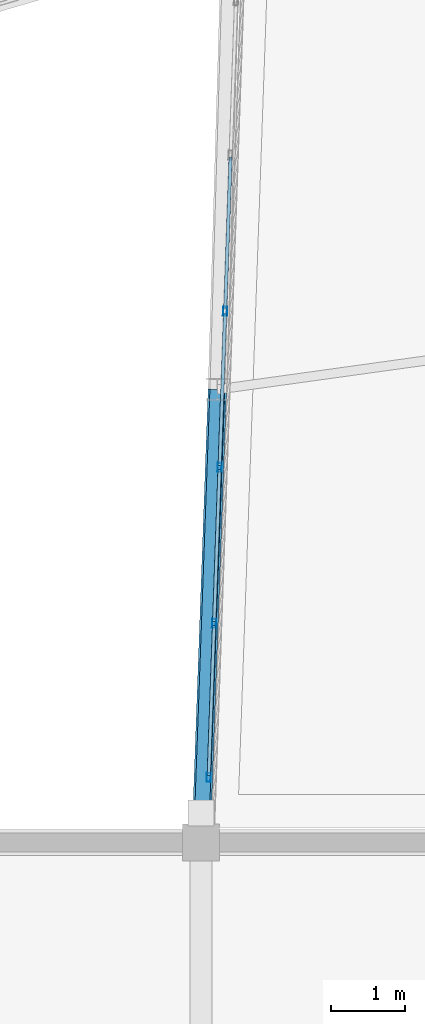
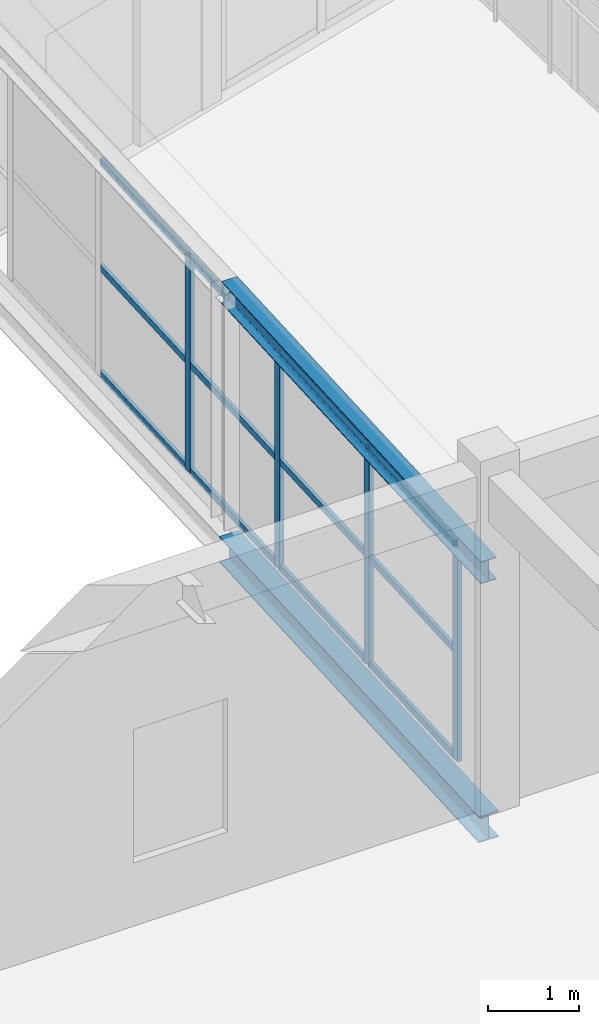
# One storey, part 20 of 248: 18 members, 1 element without a shape of its own.
"""IFC4 building model written with IfcOpenShell, lengths in metres."""

from ifc_helpers import new_model, si_unit, direction, frame, origin, origin_2d, place, context, subcontext, project, spatial, hollow_rectangle, i_section, extrude, material, layer, layer_set, material_profile, profile_set, type_object, element, aggregate, save


model = new_model("IFC4")

# Units and contexts
model_context = context("Model", 3, precision=1e-05, world=origin(), true_north=direction((0.0, 1.0)))
body_context = subcontext(model_context, "Body", "Model", "MODEL_VIEW")
ifc_project = project(units=[si_unit("LENGTHUNIT", "METRE"), si_unit("AREAUNIT", "SQUARE_METRE"), si_unit("VOLUMEUNIT", "CUBIC_METRE"), si_unit("PLANEANGLEUNIT", "RADIAN"), si_unit("MASSUNIT", "GRAM", prefix="KILO")], contexts=[model_context])

# Site, building, storey
site_placement = place(None, origin())
site = spatial("IfcSite", under=ifc_project, at=site_placement, CompositionType="ELEMENT")
building_placement = place(site_placement, origin())
building = spatial("IfcBuilding", under=site, at=building_placement, Name="Canggui Botanical Conservatory", CompositionType="ELEMENT")
storey_placement = place(building_placement, frame((0.0, 0.0, 5.39990234375)))
storey = spatial("IfcBuildingStorey", under=building, at=storey_placement, Name="L02", CompositionType="ELEMENT", Elevation=5.39990234375)

# Curtain wall, members
ifc_material_1 = material(Name="Thermally Broken Aluminium", Category="aluminium")
ifc_layer = layer(ifc_material_1, 0.1201171875, Name="Thermally Broken Aluminium", Category="aluminium")
ifc_layer_set = layer_set([ifc_layer], Name="Thermally Broken Aluminium")
curtain_wall_type = type_object("IfcCurtainWallType", Name="CW-STICK-B", PredefinedType="USERDEFINED", material=ifc_layer_set)
curtain_wall_placement = place(storey_placement, origin())
curtain_wall = element("IfcCurtainWall", 1, at=curtain_wall_placement, inside=storey, type_object=curtain_wall_type, Name="Facade Curtain Wall CW-SB-02-1", ObjectType="STICK GLAZED WALL", PredefinedType="USERDEFINED")
ifc_material_profile_1 = material_profile(ifc_material_1, hollow_rectangle(XDim=0.054931640625, YDim=0.1201171875, WallThickness=0.0029296875, at=origin_2d()), Name="CWM 55x120x3")
ifc_profile_set_1 = profile_set([ifc_material_profile_1], Name="Thermally Broken Aluminium")
member_type_1 = type_object("IfcMemberType", Name="CWM-05", PredefinedType="MULLION", material=ifc_profile_set_1)
member_1_placement = place(storey_placement, frame((34.103759765625, 34.875732421875, 0.0), z_axis=(0.0, 0.0, 1.0), x_axis=(-0.999380084358, 0.035205780606, 0.0)))
member_1 = element("IfcMember", 2, at=member_1_placement, type_object=member_type_1, Name="CW-05 mullion 1", PredefinedType="MULLION", context=body_context, shape_type="SweptSolid", body=[
    extrude(hollow_rectangle(XDim=0.054931640625, YDim=0.1201171875, WallThickness=0.0029296875, at=origin_2d()), origin(), (0.0, 0.0, 1.0), 2.900146484375),
])
member_2_placement = place(storey_placement, frame((34.177001953125, 36.949951171875, 0.0), z_axis=(0.0, 0.0, 1.0), x_axis=(-0.999380084358, 0.035205780606, 0.0)))
member_2 = element("IfcMember", 3, at=member_2_placement, type_object=member_type_1, Name="CW-05 mullion 2", PredefinedType="MULLION", context=body_context, shape_type="SweptSolid", body=[
    extrude(hollow_rectangle(XDim=0.054931640625, YDim=0.1201171875, WallThickness=0.0029296875, at=origin_2d()), origin(), (0.0, 0.0, 1.0), 2.900146484375),
])
member_3_placement = place(storey_placement, frame((34.2509765625, 39.0517578125, 0.0), z_axis=(0.0, 0.0, 1.0), x_axis=(-0.999380084358, 0.035205780606, 0.0)))
member_3 = element("IfcMember", 4, at=member_3_placement, type_object=member_type_1, Name="CW-05 mullion 3", PredefinedType="MULLION", context=body_context, shape_type="SweptSolid", body=[
    extrude(hollow_rectangle(XDim=0.054931640625, YDim=0.1201171875, WallThickness=0.0029296875, at=origin_2d()), origin(), (0.0, 0.0, 1.0), 2.900146484375),
])
member_4_placement = place(storey_placement, frame((34.324951171875, 41.153564453125, 0.0), z_axis=(0.0, 0.0, 1.0), x_axis=(-0.999380084358, 0.035205780606, 0.0)))
member_4 = element("IfcMember", 5, at=member_4_placement, type_object=member_type_1, Name="CW-05 mullion 4", PredefinedType="MULLION", context=body_context, shape_type="SweptSolid", body=[
    extrude(hollow_rectangle(XDim=0.054931640625, YDim=0.1201171875, WallThickness=0.0029296875, at=origin_2d()), origin(), (0.0, 0.0, 1.0), 2.900146484375),
])
ifc_material_profile_2 = material_profile(ifc_material_1, hollow_rectangle(XDim=0.044921875, YDim=0.090087890625, WallThickness=0.0029296875, at=origin_2d()), Name="CWT 45x90x3")
ifc_profile_set_2 = profile_set([ifc_material_profile_2], Name="Thermally Broken Aluminium")
member_type_2 = type_object("IfcMemberType", Name="CWT-05", PredefinedType="USERDEFINED", material=ifc_profile_set_2)
member_5_placement = place(storey_placement, frame((34.104736328125, 34.903076171875, 0.022705078125), z_axis=(0.035282093917, 0.999377393105, 0.0), x_axis=(-0.999377393105, 0.035282093917, 0.0)))
member_5 = element("IfcMember", 6, at=member_5_placement, type_object=member_type_2, Name="CW-05 transom 1.1", ObjectType="TRANSOM", PredefinedType="USERDEFINED", context=body_context, shape_type="SweptSolid", body=[
    extrude(hollow_rectangle(XDim=0.044921875, YDim=0.090087890625, WallThickness=0.0029296875, at=origin_2d()), origin(), (0.0, 0.0, 1.0), 2.0205078125),
])
member_6_placement = place(storey_placement, frame((34.104736328125, 34.903076171875, 1.4501953125), z_axis=(0.035282093917, 0.999377393105, 0.0), x_axis=(-0.999377393105, 0.035282093917, 0.0)))
member_6 = element("IfcMember", 7, at=member_6_placement, type_object=member_type_2, Name="CW-05 transom 1.2", ObjectType="TRANSOM", PredefinedType="USERDEFINED", context=body_context, shape_type="SweptSolid", body=[
    extrude(hollow_rectangle(XDim=0.044921875, YDim=0.090087890625, WallThickness=0.0029296875, at=origin_2d()), origin(), (0.0, 0.0, 1.0), 2.0205078125),
])
member_7_placement = place(storey_placement, frame((34.104736328125, 34.903076171875, 2.877685546875), z_axis=(0.035282093917, 0.999377393105, 0.0), x_axis=(-0.999377393105, 0.035282093917, 0.0)))
member_7 = element("IfcMember", 8, at=member_7_placement, type_object=member_type_2, Name="CW-05 transom 1.3", ObjectType="TRANSOM", PredefinedType="USERDEFINED", context=body_context, shape_type="SweptSolid", body=[
    extrude(hollow_rectangle(XDim=0.044921875, YDim=0.090087890625, WallThickness=0.0029296875, at=origin_2d()), origin(), (0.0, 0.0, 1.0), 2.0205078125),
])
member_8_placement = place(storey_placement, frame((34.177978515625, 36.9775390625, 0.022705078125), z_axis=(0.035168497213, 0.999381397067, 0.0), x_axis=(-0.999381397067, 0.035168497213, 0.0)))
member_8 = element("IfcMember", 9, at=member_8_placement, type_object=member_type_2, Name="CW-05 transom 2.1", ObjectType="TRANSOM", PredefinedType="USERDEFINED", context=body_context, shape_type="SweptSolid", body=[
    extrude(hollow_rectangle(XDim=0.044921875, YDim=0.090087890625, WallThickness=0.0029296875, at=origin_2d()), origin(), (0.0, 0.0, 1.0), 2.0478515625),
])
member_9_placement = place(storey_placement, frame((34.177978515625, 36.9775390625, 1.4501953125), z_axis=(0.035168497213, 0.999381397067, 0.0), x_axis=(-0.999381397067, 0.035168497213, 0.0)))
member_9 = element("IfcMember", 10, at=member_9_placement, type_object=member_type_2, Name="CW-05 transom 2.2", ObjectType="TRANSOM", PredefinedType="USERDEFINED", context=body_context, shape_type="SweptSolid", body=[
    extrude(hollow_rectangle(XDim=0.044921875, YDim=0.090087890625, WallThickness=0.0029296875, at=origin_2d()), origin(), (0.0, 0.0, 1.0), 2.0478515625),
])
member_10_placement = place(storey_placement, frame((34.177978515625, 36.9775390625, 2.877685546875), z_axis=(0.035168497213, 0.999381397067, 0.0), x_axis=(-0.999381397067, 0.035168497213, 0.0)))
member_10 = element("IfcMember", 11, at=member_10_placement, type_object=member_type_2, Name="CW-05 transom 2.3", ObjectType="TRANSOM", PredefinedType="USERDEFINED", context=body_context, shape_type="SweptSolid", body=[
    extrude(hollow_rectangle(XDim=0.044921875, YDim=0.090087890625, WallThickness=0.0029296875, at=origin_2d()), origin(), (0.0, 0.0, 1.0), 2.0478515625),
])
member_11_placement = place(storey_placement, frame((34.251953125, 39.0791015625, 0.022705078125), z_axis=(0.035164307684, 0.999381544489, 0.0), x_axis=(-0.999381544489, 0.035164307684, 0.0)))
member_11 = element("IfcMember", 12, at=member_11_placement, type_object=member_type_2, Name="CW-05 transom 3.1", ObjectType="TRANSOM", PredefinedType="USERDEFINED", context=body_context, shape_type="SweptSolid", body=[
    extrude(hollow_rectangle(XDim=0.044921875, YDim=0.090087890625, WallThickness=0.0029296875, at=origin_2d()), origin(), (0.0, 0.0, 1.0), 2.048095703125),
])
member_12_placement = place(storey_placement, frame((34.251953125, 39.0791015625, 1.4501953125), z_axis=(0.035164307684, 0.999381544489, 0.0), x_axis=(-0.999381544489, 0.035164307684, 0.0)))
member_12 = element("IfcMember", 13, at=member_12_placement, type_object=member_type_2, Name="CW-05 transom 3.2", ObjectType="TRANSOM", PredefinedType="USERDEFINED", context=body_context, shape_type="SweptSolid", body=[
    extrude(hollow_rectangle(XDim=0.044921875, YDim=0.090087890625, WallThickness=0.0029296875, at=origin_2d()), origin(), (0.0, 0.0, 1.0), 2.048095703125),
])
member_13_placement = place(storey_placement, frame((34.251953125, 39.0791015625, 2.877685546875), z_axis=(0.035164307684, 0.999381544489, 0.0), x_axis=(-0.999381544489, 0.035164307684, 0.0)))
member_13 = element("IfcMember", 14, at=member_13_placement, type_object=member_type_2, Name="CW-05 transom 3.3", ObjectType="TRANSOM", PredefinedType="USERDEFINED", context=body_context, shape_type="SweptSolid", body=[
    extrude(hollow_rectangle(XDim=0.044921875, YDim=0.090087890625, WallThickness=0.0029296875, at=origin_2d()), origin(), (0.0, 0.0, 1.0), 2.048095703125),
])
member_14_placement = place(storey_placement, frame((34.325927734375, 41.180908203125, 0.022705078125), z_axis=(0.035283360582, 0.999377348385, 0.0), x_axis=(-0.999377348385, 0.035283360582, 0.0)))
member_14 = element("IfcMember", 15, at=member_14_placement, type_object=member_type_2, Name="CW-05 transom 4.1", ObjectType="TRANSOM", PredefinedType="USERDEFINED", context=body_context, shape_type="SweptSolid", body=[
    extrude(hollow_rectangle(XDim=0.044921875, YDim=0.090087890625, WallThickness=0.0029296875, at=origin_2d()), origin(), (0.0, 0.0, 1.0), 2.048095703125),
])
member_15_placement = place(storey_placement, frame((34.325927734375, 41.180908203125, 1.4501953125), z_axis=(0.035283360582, 0.999377348385, 0.0), x_axis=(-0.999377348385, 0.035283360582, 0.0)))
member_15 = element("IfcMember", 16, at=member_15_placement, type_object=member_type_2, Name="CW-05 transom 4.2", ObjectType="TRANSOM", PredefinedType="USERDEFINED", context=body_context, shape_type="SweptSolid", body=[
    extrude(hollow_rectangle(XDim=0.044921875, YDim=0.090087890625, WallThickness=0.0029296875, at=origin_2d()), origin(), (0.0, 0.0, 1.0), 2.048095703125),
])
member_16_placement = place(storey_placement, frame((34.325927734375, 41.180908203125, 2.877685546875), z_axis=(0.035283360582, 0.999377348385, 0.0), x_axis=(-0.999377348385, 0.035283360582, 0.0)))
member_16 = element("IfcMember", 17, at=member_16_placement, type_object=member_type_2, Name="CW-05 transom 4.3", ObjectType="TRANSOM", PredefinedType="USERDEFINED", context=body_context, shape_type="SweptSolid", body=[
    extrude(hollow_rectangle(XDim=0.044921875, YDim=0.090087890625, WallThickness=0.0029296875, at=origin_2d()), origin(), (0.0, 0.0, 1.0), 2.048095703125),
])
aggregate(curtain_wall, [member_1, member_2, member_3, member_4, member_5, member_6, member_7, member_8, member_9, member_10, member_11, member_12, member_13, member_14, member_15, member_16])

# Members
ifc_material_2 = material(Name="Steel Q355B", Category="steel")
ifc_material_profile_3 = material_profile(ifc_material_2, i_section(OverallWidth=0.25, OverallDepth=0.35009765625, WebThickness=0.009033203125, FlangeThickness=0.013916015625, FilletRadius=0.02001953125, at=origin_2d()), Name="HM 350x250x9x14")
ifc_profile_set_3 = profile_set([ifc_material_profile_3], Name="Steel Q355B")
member_type_3 = type_object("IfcMemberType", Name="MEM-TC03", PredefinedType="CHORD", material=ifc_profile_set_3)
member_17_placement = place(storey_placement, frame((34.0, 34.0, -0.349853515625), z_axis=(0.036036771336, 0.999350464608, 0.0), x_axis=(-0.999350464608, 0.036036771336, 0.0)))
element("IfcMember", 18, at=member_17_placement, inside=storey, type_object=member_type_3, Name="SB-02 Deck Truss Bottom Chord 1.1", PredefinedType="CHORD", context=body_context, shape_type="SweptSolid", body=[
    extrude(i_section(OverallWidth=0.25, OverallDepth=0.35009765625, WebThickness=0.009033203125, FlangeThickness=0.013916015625, FilletRadius=0.02001953125, at=origin_2d()), origin(), (0.0, 0.0, 1.0), 6.10400390625),
])
ifc_material_profile_4 = material_profile(ifc_material_2, i_section(OverallWidth=0.199951171875, OverallDepth=0.300048828125, WebThickness=0.008056640625, FlangeThickness=0.011962890625, FilletRadius=0.01806640625, at=origin_2d()), Name="HM 300x200x8x12")
ifc_profile_set_4 = profile_set([ifc_material_profile_4], Name="Steel Q355B")
member_type_4 = type_object("IfcMemberType", Name="MEM-TC04", PredefinedType="CHORD", material=ifc_profile_set_4)
member_18_placement = place(storey_placement, frame((34.0, 34.0, 3.10009765625), z_axis=(0.036036771336, 0.999350464608, 0.0), x_axis=(-0.999350464608, 0.036036771336, 0.0)))
element("IfcMember", 19, at=member_18_placement, inside=storey, type_object=member_type_4, Name="SB-02 Roof Truss Top Chord 1.1", PredefinedType="CHORD", context=body_context, shape_type="SweptSolid", body=[
    extrude(i_section(OverallWidth=0.199951171875, OverallDepth=0.300048828125, WebThickness=0.008056640625, FlangeThickness=0.011962890625, FilletRadius=0.01806640625, at=origin_2d()), origin(), (0.0, 0.0, 1.0), 6.10400390625),
])

save(model, "model.ifc")
